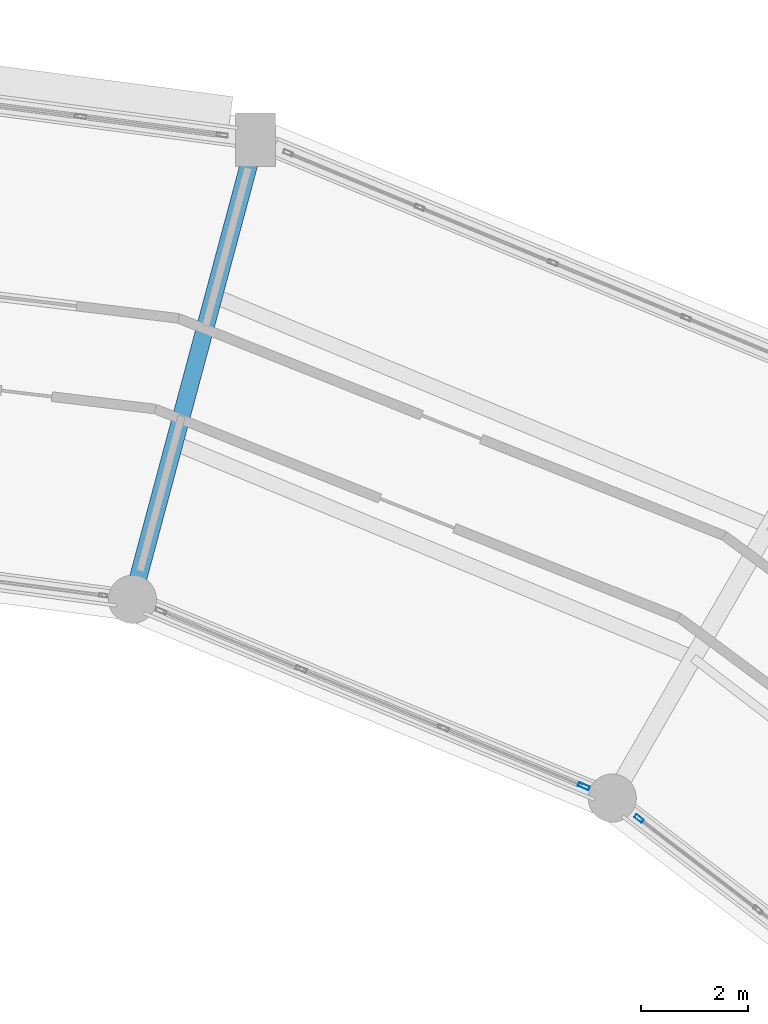
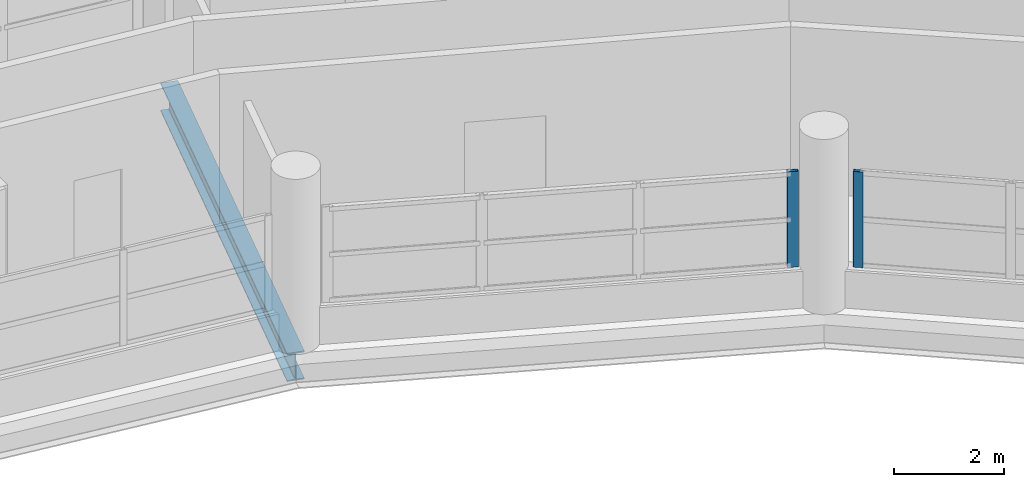
# One storey, part 32 of 53: 2 members, 1 beam, 2 elements without a shape of their own.
"""IFC4 building model written with IfcOpenShell, lengths in metres."""

from ifc_helpers import new_model, si_unit, direction, frame, origin, origin_2d, place, context, subcontext, project, spatial, hollow_rectangle, i_section, extrude, material, layer, layer_set, material_profile, profile_set, type_object, element, aggregate, save


model = new_model("IFC4")

# Units and contexts
model_context = context("Model", 3, precision=1e-05, world=origin(), true_north=direction((0.0, 1.0)))
body_context = subcontext(model_context, "Body", "Model", "MODEL_VIEW")
ifc_project = project(units=[si_unit("LENGTHUNIT", "METRE"), si_unit("AREAUNIT", "SQUARE_METRE"), si_unit("VOLUMEUNIT", "CUBIC_METRE"), si_unit("PLANEANGLEUNIT", "RADIAN"), si_unit("MASSUNIT", "GRAM", prefix="KILO")], contexts=[model_context])

# Site, building, storey
site_placement = place(None, origin())
site = spatial("IfcSite", under=ifc_project, at=site_placement, CompositionType="ELEMENT")
building_placement = place(site_placement, origin())
building = spatial("IfcBuilding", under=site, at=building_placement, Name="Vespera Passage Community Centre", CompositionType="ELEMENT")
storey_placement = place(building_placement, frame((0.0, 0.0, 20.39990234375)))
storey = spatial("IfcBuildingStorey", under=building, at=storey_placement, Name="L05", CompositionType="ELEMENT", Elevation=20.39990234375)

# Beam
ifc_material_1 = material(Name="Steel ASTM A992 Grade 50", Category="steel")
ifc_material_profile_1 = material_profile(ifc_material_1, i_section(OverallWidth=0.32763671875, OverallDepth=0.62841796875, WebThickness=0.0166015625, FlangeThickness=0.027587890625, FilletRadius=0.0126953125, at=origin_2d()), Name="W24X146")
ifc_profile_set_1 = profile_set([ifc_material_profile_1], Name="Steel ASTM A992 Grade 50")
beam_type = type_object("IfcBeamType", Name="BM-G-W24X146", PredefinedType="BEAM", material=ifc_profile_set_1)
beam_placement = place(storey_placement, frame((87.628173828125, 101.432373046875, -0.57421875), z_axis=(0.258811497245, 0.9659278487, 0.0), x_axis=(-0.9659278487, 0.258811497245, 0.0)))
element("IfcBeam", 1, at=beam_placement, inside=storey, type_object=beam_type, Name="V4 L05 Radial Girder 5", PredefinedType="BEAM", context=body_context, shape_type="SweptSolid", body=[
    extrude(i_section(OverallWidth=0.32763671875, OverallDepth=0.62841796875, WebThickness=0.0166015625, FlangeThickness=0.027587890625, FilletRadius=0.0126953125, at=origin_2d()), origin(), (0.0, 0.0, 1.0), 8.900146484375),
])

# Curtain wall, member
ifc_material_2 = material(Name="Anodized aluminium 6063-T6", Category="aluminium")
ifc_layer_1 = layer(ifc_material_2, 0.159912109375)
ifc_layer_set_1 = layer_set([ifc_layer_1], Name="Anodized aluminium 6063-T6")
curtain_wall_type_1 = type_object("IfcCurtainWallType", Name="CW-70E", PredefinedType="NOTDEFINED", material=ifc_layer_set_1)
curtain_wall_1_placement = place(storey_placement, origin())
curtain_wall_1 = element("IfcCurtainWall", 2, at=curtain_wall_1_placement, inside=storey, type_object=curtain_wall_type_1, Name="V4 L05 Inner Court Curtain Wall 3", PredefinedType="NOTDEFINED")
ifc_material_3 = material(Name="Anodized aluminium 6063-T6", Category="aluminium")
ifc_material_profile_2 = material_profile(ifc_material_3, hollow_rectangle(XDim=0.074951171875, YDim=0.179931640625, WallThickness=0.0048828125, InnerFilletRadius=0.00244140625, OuterFilletRadius=0.0048828125, at=origin_2d()), Name="ALU180X75X5")
ifc_profile_set_2 = profile_set([ifc_material_profile_2], Name="Anodized aluminium 6063-T6")
member_type_1 = type_object("IfcMemberType", Name="MB-CWM-180E", PredefinedType="MULLION", material=ifc_profile_set_2)
member_1_placement = place(storey_placement, frame((97.100341796875, 97.332275390625, 0.820068359375), z_axis=(0.0, 0.0, 1.0), x_axis=(-0.608755087843, -0.793358205999, 0.0)))
member_1 = element("IfcMember", 3, at=member_1_placement, type_object=member_type_1, Name="CW-70E mullion 4", PredefinedType="MULLION", context=body_context, shape_type="SweptSolid", body=[
    extrude(hollow_rectangle(XDim=0.074951171875, YDim=0.179931640625, WallThickness=0.0048828125, InnerFilletRadius=0.00244140625, OuterFilletRadius=0.0048828125, at=origin_2d()), origin(), (0.0, 0.0, 1.0), 2.129638671875),
])
aggregate(curtain_wall_1, [member_1])

ifc_material_4 = material(Name="Anodized aluminium 6063-T6", Category="aluminium")
ifc_layer_2 = layer(ifc_material_4, 0.159912109375)
ifc_layer_set_2 = layer_set([ifc_layer_2], Name="Anodized aluminium 6063-T6")
curtain_wall_type_2 = type_object("IfcCurtainWallType", Name="CW-72E", PredefinedType="NOTDEFINED", material=ifc_layer_set_2)
curtain_wall_2_placement = place(storey_placement, origin())
curtain_wall_2 = element("IfcCurtainWall", 4, at=curtain_wall_2_placement, inside=storey, type_object=curtain_wall_type_2, Name="V4 L05 Inner Court Curtain Wall 4", PredefinedType="NOTDEFINED")
ifc_material_5 = material(Name="Anodized aluminium 6063-T6", Category="aluminium")
ifc_material_profile_3 = material_profile(ifc_material_5, hollow_rectangle(XDim=0.074951171875, YDim=0.2099609375, WallThickness=0.0048828125, InnerFilletRadius=0.00244140625, OuterFilletRadius=0.0048828125, at=origin_2d()), Name="ALU210X75X5")
ifc_profile_set_3 = profile_set([ifc_material_profile_3], Name="Anodized aluminium 6063-T6")
member_type_2 = type_object("IfcMemberType", Name="MB-CWM-210E", PredefinedType="MULLION", material=ifc_profile_set_3)
member_2_placement = place(storey_placement, frame((96.066650390625, 97.93701171875, 0.820068359375), z_axis=(0.0, 0.0, 1.0), x_axis=(-0.382690463482, -0.923876620096, 0.0)))
member_2 = element("IfcMember", 5, at=member_2_placement, type_object=member_type_2, Name="CW-72E mullion 1", PredefinedType="MULLION", context=body_context, shape_type="SweptSolid", body=[
    extrude(hollow_rectangle(XDim=0.074951171875, YDim=0.2099609375, WallThickness=0.0048828125, InnerFilletRadius=0.00244140625, OuterFilletRadius=0.0048828125, at=origin_2d()), origin(), (0.0, 0.0, 1.0), 2.129638671875),
])
aggregate(curtain_wall_2, [member_2])

save(model, "model.ifc")
